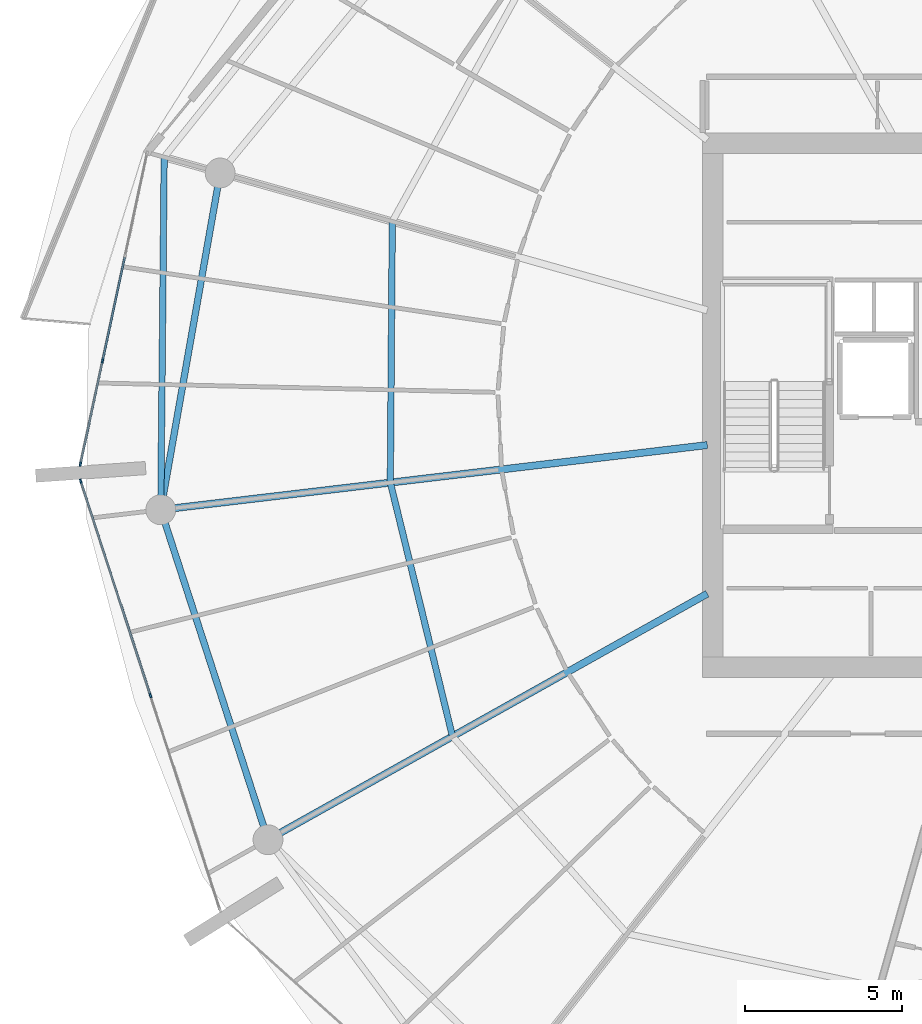
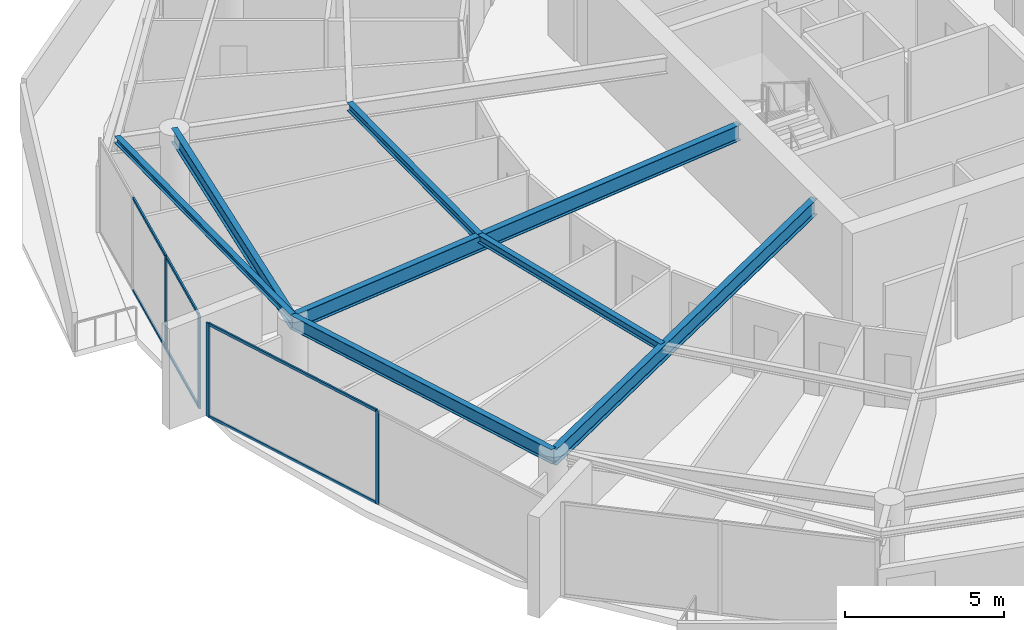
# One storey, part 8 of 30: 10 members, 7 beams, 2 elements without a shape of their own.
"""IFC4 building model written with IfcOpenShell, lengths in metres."""

from ifc_helpers import new_model, si_unit, direction, frame, origin, origin_2d, place, context, subcontext, project, spatial, rectangle, i_section, extrude, material, layer, layer_set, material_profile, profile_set, type_object, element, aggregate, save


model = new_model("IFC4")

# Units and contexts
model_context = context("Model", 3, precision=1e-05, world=origin(), true_north=direction((0.0, 1.0)))
body_context = subcontext(model_context, "Body", "Model", "MODEL_VIEW")
ifc_project = project(units=[si_unit("LENGTHUNIT", "METRE"), si_unit("AREAUNIT", "SQUARE_METRE"), si_unit("VOLUMEUNIT", "CUBIC_METRE"), si_unit("PLANEANGLEUNIT", "RADIAN"), si_unit("MASSUNIT", "GRAM", prefix="KILO")], contexts=[model_context])

# Site, building, storey
site_placement = place(None, origin())
site = spatial("IfcSite", under=ifc_project, at=site_placement, CompositionType="ELEMENT")
building_placement = place(site_placement, origin())
building = spatial("IfcBuilding", under=site, at=building_placement, Name="Kazma Halo Residences", CompositionType="ELEMENT")
storey_placement = place(building_placement, frame((0.0, 0.0, 267.5)))
storey = spatial("IfcBuildingStorey", under=building, at=storey_placement, Name="L67", CompositionType="ELEMENT", Elevation=267.5)

# Beams
ifc_material_1 = material(Name="Steel S355", Category="steel")
ifc_material_profile_1 = material_profile(ifc_material_1, i_section(OverallWidth=0.201904296875, OverallDepth=0.2470703125, WebThickness=0.00732421875, FlangeThickness=0.010986328125, FilletRadius=0.011962890625, at=origin_2d()), Name="W250x49.1")
ifc_profile_set_1 = profile_set([ifc_material_profile_1], Name="Steel S355")
beam_type_1 = type_object("IfcBeamType", Name="BM-BAL-CANT", PredefinedType="BEAM", material=ifc_profile_set_1)
beam_1_placement = place(storey_placement, frame((20.028564453125, 49.888916015625, 3.466552734375), z_axis=(-0.009645503464, -0.999953481049, 0.0), x_axis=(0.999953481049, -0.009645503464, 0.0)))
element("IfcBeam", 1, at=beam_1_placement, inside=storey, type_object=beam_type_1, Name="L67 wave-balcony tie beam 07", PredefinedType="BEAM", context=body_context, shape_type="SweptSolid", body=[
    extrude(i_section(OverallWidth=0.201904296875, OverallDepth=0.2470703125, WebThickness=0.00732421875, FlangeThickness=0.010986328125, FilletRadius=0.011962890625, at=origin_2d()), origin(), (0.0, 0.0, 1.0), 11.212890625),
])
ifc_material_profile_2 = material_profile(ifc_material_1, i_section(OverallWidth=0.22802734375, OverallDepth=0.60791015625, WebThickness=0.01123046875, FlangeThickness=0.017333984375, FilletRadius=0.01806640625, at=origin_2d()), Name="W610x113")
ifc_profile_set_2 = profile_set([ifc_material_profile_2], Name="Steel S355")
beam_type_2 = type_object("IfcBeamType", Name="BM-RAD-W610", PredefinedType="BEAM", material=ifc_profile_set_2)
beam_2_placement = place(storey_placement, frame((37.300048828125, 40.733642578125, 3.285888671875), z_axis=(-0.993067702517, -0.117543771495, 0.0), x_axis=(0.117543771495, -0.993067702517, 0.0)))
element("IfcBeam", 2, at=beam_2_placement, inside=storey, type_object=beam_type_2, Name="L67 radial floor beam 08", PredefinedType="BEAM", context=body_context, shape_type="SweptSolid", body=[
    extrude(i_section(OverallWidth=0.22802734375, OverallDepth=0.60791015625, WebThickness=0.01123046875, FlangeThickness=0.017333984375, FilletRadius=0.01806640625, at=origin_2d()), origin(), (0.0, 0.0, 1.0), 17.5009765625),
])
beam_3_placement = place(storey_placement, frame((37.300048828125, 36.0078125, 3.285888671875), z_axis=(-0.872498735757, -0.488616369049, 0.0), x_axis=(0.488616369049, -0.872498735757, 0.0)))
element("IfcBeam", 3, at=beam_3_placement, inside=storey, type_object=beam_type_2, Name="L67 radial floor beam 09", PredefinedType="BEAM", context=body_context, shape_type="SweptSolid", body=[
    extrude(i_section(OverallWidth=0.22802734375, OverallDepth=0.60791015625, WebThickness=0.01123046875, FlangeThickness=0.017333984375, FilletRadius=0.01806640625, at=origin_2d()), origin(), (0.0, 0.0, 1.0), 16.011962890625),
])
ifc_material_profile_3 = material_profile(ifc_material_1, i_section(OverallWidth=0.202880859375, OverallDepth=0.302978515625, WebThickness=0.007568359375, FlangeThickness=0.01318359375, FilletRadius=0.013916015625, at=origin_2d()), Name="W310x60")
ifc_profile_set_3 = profile_set([ifc_material_profile_3], Name="Steel S355")
beam_type_3 = type_object("IfcBeamType", Name="BM-SEC-W310A", PredefinedType="JOIST", material=ifc_profile_set_3)
beam_4_placement = place(storey_placement, frame((27.282470703125, 47.843017578125, 3.4384765625), z_axis=(-0.007527648623, -0.999971666852, 0.0), x_axis=(0.999971666852, -0.007527648623, 0.0)))
element("IfcBeam", 4, at=beam_4_placement, inside=storey, type_object=beam_type_3, Name="L67 circumferential floor joist 07", PredefinedType="JOIST", context=body_context, shape_type="SweptSolid", body=[
    extrude(i_section(OverallWidth=0.202880859375, OverallDepth=0.302978515625, WebThickness=0.007568359375, FlangeThickness=0.01318359375, FilletRadius=0.013916015625, at=origin_2d()), origin(), (0.0, 0.0, 1.0), 8.302734375),
])
beam_5_placement = place(storey_placement, frame((27.219970703125, 39.54052734375, 3.4384765625), z_axis=(0.237963200266, -0.971274171035, 0.0), x_axis=(0.971274171035, 0.237963200266, 0.0)))
element("IfcBeam", 5, at=beam_5_placement, inside=storey, type_object=beam_type_3, Name="L67 circumferential floor joist 08", PredefinedType="JOIST", context=body_context, shape_type="SweptSolid", body=[
    extrude(i_section(OverallWidth=0.202880859375, OverallDepth=0.302978515625, WebThickness=0.007568359375, FlangeThickness=0.01318359375, FilletRadius=0.013916015625, at=origin_2d()), origin(), (0.0, 0.0, 1.0), 8.309326171875),
])
ifc_material_profile_4 = material_profile(ifc_material_1, i_section(OverallWidth=0.208984375, OverallDepth=0.532958984375, WebThickness=0.01025390625, FlangeThickness=0.015625, FilletRadius=0.01611328125, at=origin_2d()), Name="W530x92")
ifc_profile_set_4 = profile_set([ifc_material_profile_4], Name="Steel S355")
beam_type_4 = type_object("IfcBeamType", Name="BM-SPN-W530", PredefinedType="BEAM", material=ifc_profile_set_4)
beam_6_placement = place(storey_placement, frame((21.80908203125, 49.38671875, 3.323486328125), z_axis=(-0.173663672311, -0.984805020763, 0.0), x_axis=(0.984805020763, -0.173663672311, 0.0)))
element("IfcBeam", 6, at=beam_6_placement, inside=storey, type_object=beam_type_4, Name="L67 perimeter ring beam 07", PredefinedType="BEAM", context=body_context, shape_type="SweptSolid", body=[
    extrude(i_section(OverallWidth=0.208984375, OverallDepth=0.532958984375, WebThickness=0.01025390625, FlangeThickness=0.015625, FilletRadius=0.01611328125, at=origin_2d()), origin(), (0.0, 0.0, 1.0), 10.87548828125),
])
beam_7_placement = place(storey_placement, frame((19.92041015625, 38.676513671875, 3.323486328125), z_axis=(0.309015517474, -0.951056996168, 0.0), x_axis=(0.951056996168, 0.309015517474, 0.0)))
element("IfcBeam", 7, at=beam_7_placement, inside=storey, type_object=beam_type_4, Name="L67 perimeter ring beam 08", PredefinedType="BEAM", context=body_context, shape_type="SweptSolid", body=[
    extrude(i_section(OverallWidth=0.208984375, OverallDepth=0.532958984375, WebThickness=0.01025390625, FlangeThickness=0.015625, FilletRadius=0.01611328125, at=origin_2d()), origin(), (0.0, 0.0, 1.0), 11.032470703125),
])

# Curtain wall, members
ifc_material_2 = material(Name="Aluminium AW-6063 T6 and Triple-Silver Low-E Glass", Category="aluminium")
ifc_layer = layer(ifc_material_2, 0.139892578125)
ifc_layer_set = layer_set([ifc_layer], Name="Aluminium AW-6063 T6 and Triple-Silver Low-E Glass")
curtain_wall_type = type_object("IfcCurtainWallType", Name="CW-SYS-5", PredefinedType="NOTDEFINED", material=ifc_layer_set)
curtain_wall_1_placement = place(storey_placement, origin())
curtain_wall_1 = element("IfcCurtainWall", 8, at=curtain_wall_1_placement, inside=storey, type_object=curtain_wall_type, Name="L67 unitised curtain wall B07", PredefinedType="NOTDEFINED")
ifc_material_3 = material(Name="Aluminium AW-6063 T6", Category="aluminium")
ifc_material_profile_5 = material_profile(ifc_material_3, rectangle(XDim=0.06005859375, YDim=0.139892578125, at=origin_2d()), Name="CWM-60x140")
ifc_profile_set_5 = profile_set([ifc_material_profile_5], Name="Aluminium AW-6063 T6")
member_type_1 = type_object("IfcMemberType", Name="CW-SYS-5-MUL", PredefinedType="MULLION", material=ifc_profile_set_5)
member_1_placement = place(storey_placement, frame((18.0703125, 43.412841796875, 0.0), z_axis=(0.0, 0.0, 1.0), x_axis=(0.97777491373, -0.209657382603, 0.0)))
member_1 = element("IfcMember", 9, at=member_1_placement, type_object=member_type_1, Name="CWS-5 mullion 3", PredefinedType="MULLION", context=body_context, shape_type="SweptSolid", body=[
    extrude(rectangle(XDim=0.06005859375, YDim=0.139892578125, at=origin_2d()), origin(), (0.0, 0.0, 1.0), 3.590087890625),
])
member_2_placement = place(storey_placement, frame((17.3662109375, 40.12841796875, 0.0), z_axis=(0.0, 0.0, 1.0), x_axis=(0.97777491373, -0.209657382603, 0.0)))
member_2 = element("IfcMember", 10, at=member_2_placement, type_object=member_type_1, Name="CWS-5 mullion 4", PredefinedType="MULLION", context=body_context, shape_type="SweptSolid", body=[
    extrude(rectangle(XDim=0.06005859375, YDim=0.139892578125, at=origin_2d()), origin(), (0.0, 0.0, 1.0), 3.590087890625),
])

curtain_wall_2_placement = place(storey_placement, origin())
curtain_wall_2 = element("IfcCurtainWall", 11, at=curtain_wall_2_placement, inside=storey, type_object=curtain_wall_type, Name="L67 unitised curtain wall B08", PredefinedType="NOTDEFINED")
member_3_placement = place(storey_placement, frame((17.377197265625, 39.587646484375, 0.0), z_axis=(0.0, 0.0, 1.0), x_axis=(0.951058464359, 0.309010998786, 0.0)))
member_3 = element("IfcMember", 12, at=member_3_placement, type_object=member_type_1, Name="CWS-5 mullion 1", PredefinedType="MULLION", context=body_context, shape_type="SweptSolid", body=[
    extrude(rectangle(XDim=0.06005859375, YDim=0.139892578125, at=origin_2d()), origin(), (0.0, 0.0, 1.0), 3.590087890625),
])
member_4_placement = place(storey_placement, frame((19.59228515625, 32.769775390625, 0.0), z_axis=(0.0, 0.0, 1.0), x_axis=(0.951058464359, 0.309010998786, 0.0)))
member_4 = element("IfcMember", 13, at=member_4_placement, type_object=member_type_1, Name="CWS-5 mullion 2", PredefinedType="MULLION", context=body_context, shape_type="SweptSolid", body=[
    extrude(rectangle(XDim=0.06005859375, YDim=0.139892578125, at=origin_2d()), origin(), (0.0, 0.0, 1.0), 3.590087890625),
])

# Member
ifc_material_profile_6 = material_profile(ifc_material_3, rectangle(XDim=0.06005859375, YDim=0.10498046875, at=origin_2d()), Name="CWT-60x105")
ifc_profile_set_6 = profile_set([ifc_material_profile_6], Name="Aluminium AW-6063 T6")
member_type_2 = type_object("IfcMemberType", Name="CW-SYS-5-TRN", PredefinedType="USERDEFINED", material=ifc_profile_set_6)
member_5_placement = place(storey_placement, frame((18.774658203125, 46.697265625, 0.030029296875), z_axis=(-0.209664309019, -0.977773428522, 0.0), x_axis=(0.977773428522, -0.209664309019, 0.0)))
member_5 = element("IfcMember", 14, at=member_5_placement, type_object=member_type_2, Name="CWS-5 transom 2.1", ObjectType="TRANSOM", PredefinedType="USERDEFINED", context=body_context, shape_type="SweptSolid", body=[
    extrude(rectangle(XDim=0.06005859375, YDim=0.10498046875, at=origin_2d()), origin(), (0.0, 0.0, 1.0), 3.3291015625),
])

member_6_placement = place(storey_placement, frame((18.774658203125, 46.697265625, 3.56005859375), z_axis=(-0.209664309019, -0.977773428522, 0.0), x_axis=(0.977773428522, -0.209664309019, 0.0)))
member_6 = element("IfcMember", 15, at=member_6_placement, type_object=member_type_2, Name="CWS-5 transom 2.2", ObjectType="TRANSOM", PredefinedType="USERDEFINED", context=body_context, shape_type="SweptSolid", body=[
    extrude(rectangle(XDim=0.06005859375, YDim=0.10498046875, at=origin_2d()), origin(), (0.0, 0.0, 1.0), 3.3291015625),
])

member_7_placement = place(storey_placement, frame((18.064208984375, 43.383544921875, 0.030029296875), z_axis=(-0.209645323239, -0.977777499457, 0.0), x_axis=(0.977777499457, -0.209645323239, 0.0)))
member_7 = element("IfcMember", 16, at=member_7_placement, type_object=member_type_2, Name="CWS-5 transom 3.1", ObjectType="TRANSOM", PredefinedType="USERDEFINED", context=body_context, shape_type="SweptSolid", body=[
    extrude(rectangle(XDim=0.06005859375, YDim=0.10498046875, at=origin_2d()), origin(), (0.0, 0.0, 1.0), 3.299072265625),
])

member_8_placement = place(storey_placement, frame((18.064208984375, 43.383544921875, 3.56005859375), z_axis=(-0.209645323239, -0.977777499457, 0.0), x_axis=(0.977777499457, -0.209645323239, 0.0)))
member_8 = element("IfcMember", 17, at=member_8_placement, type_object=member_type_2, Name="CWS-5 transom 3.2", ObjectType="TRANSOM", PredefinedType="USERDEFINED", context=body_context, shape_type="SweptSolid", body=[
    extrude(rectangle(XDim=0.06005859375, YDim=0.10498046875, at=origin_2d()), origin(), (0.0, 0.0, 1.0), 3.299072265625),
])

aggregate(curtain_wall_1, [member_1, member_2, member_5, member_6, member_7, member_8])

member_9_placement = place(storey_placement, frame((17.386474609375, 39.55908203125, 0.030029296875), z_axis=(0.308995987448, -0.951063341603, 0.0), x_axis=(0.951063341603, 0.308995987448, 0.0)))
member_9 = element("IfcMember", 18, at=member_9_placement, type_object=member_type_2, Name="CWS-5 transom 1.1", ObjectType="TRANSOM", PredefinedType="USERDEFINED", context=body_context, shape_type="SweptSolid", body=[
    extrude(rectangle(XDim=0.06005859375, YDim=0.10498046875, at=origin_2d()), origin(), (0.0, 0.0, 1.0), 7.108642578125),
])

member_10_placement = place(storey_placement, frame((17.386474609375, 39.55908203125, 3.56005859375), z_axis=(0.308995987448, -0.951063341603, 0.0), x_axis=(0.951063341603, 0.308995987448, 0.0)))
member_10 = element("IfcMember", 19, at=member_10_placement, type_object=member_type_2, Name="CWS-5 transom 1.2", ObjectType="TRANSOM", PredefinedType="USERDEFINED", context=body_context, shape_type="SweptSolid", body=[
    extrude(rectangle(XDim=0.06005859375, YDim=0.10498046875, at=origin_2d()), origin(), (0.0, 0.0, 1.0), 7.108642578125),
])

aggregate(curtain_wall_2, [member_3, member_4, member_9, member_10])

save(model, "model.ifc")
